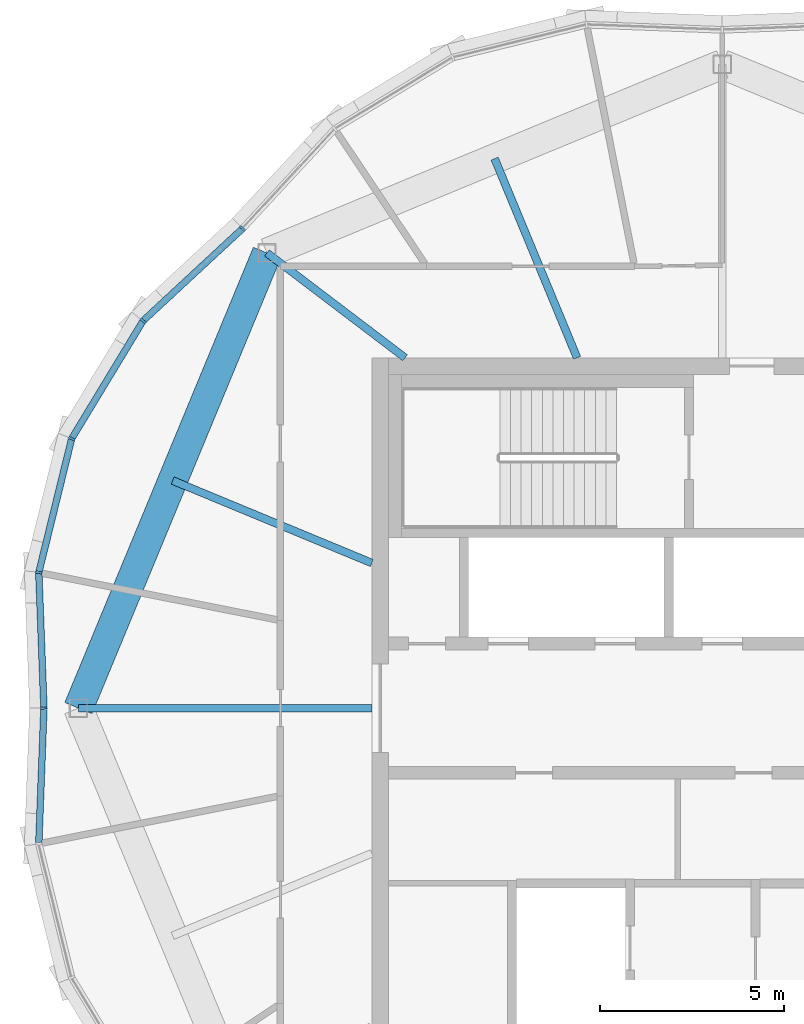
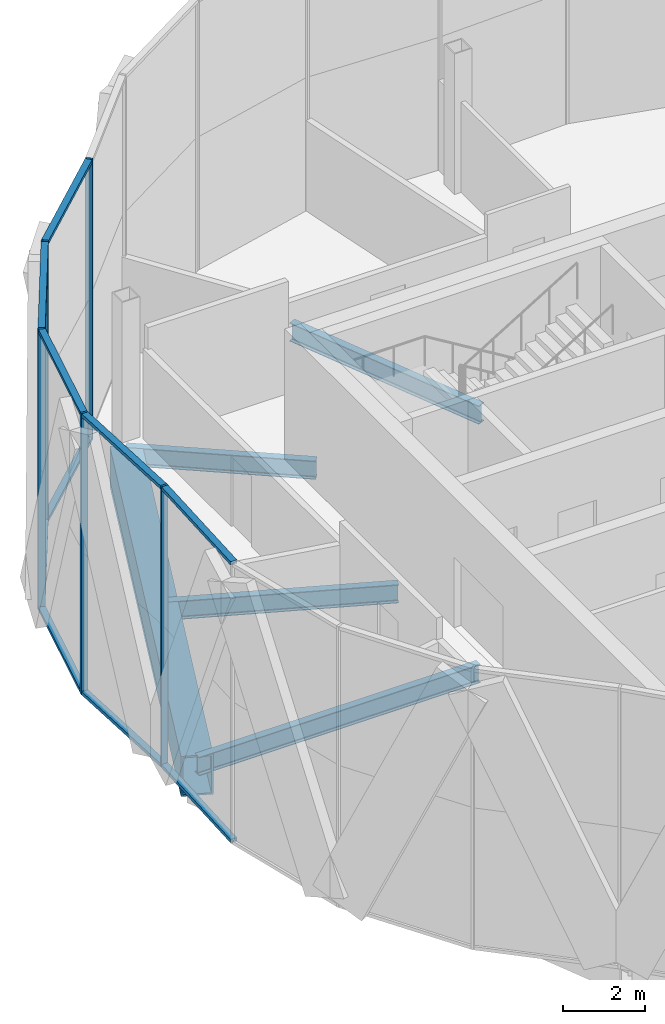
# One storey, part 5 of 22: 15 members, 5 beams, 3 elements without a shape of their own.
"""IFC4 building model written with IfcOpenShell, lengths in metres."""

from ifc_helpers import new_model, si_unit, direction, frame, origin, origin_2d, place, context, subcontext, project, spatial, rectangle, hollow_rectangle, i_section, extrude, material, material_profile, profile_set, type_object, element, aggregate, save


model = new_model("IFC4")

# Units and contexts
model_context = context("Model", 3, precision=1e-05, world=origin(), true_north=direction((0.0, 1.0)))
body_context = subcontext(model_context, "Body", "Model", "MODEL_VIEW")
ifc_project = project(units=[si_unit("LENGTHUNIT", "METRE"), si_unit("AREAUNIT", "SQUARE_METRE"), si_unit("VOLUMEUNIT", "CUBIC_METRE"), si_unit("PLANEANGLEUNIT", "RADIAN"), si_unit("MASSUNIT", "GRAM", prefix="KILO")], contexts=[model_context])

# Site, building, storey
site_placement = place(None, origin())
site = spatial("IfcSite", under=ifc_project, at=site_placement, CompositionType="ELEMENT")
building_placement = place(site_placement, origin())
building = spatial("IfcBuilding", under=site, at=building_placement, Name="Ogive Gate Towers", CompositionType="ELEMENT")
storey_placement = place(building_placement, frame((0.0, 0.0, 285.60009765625)))
storey = spatial("IfcBuildingStorey", under=building, at=storey_placement, Name="L67", CompositionType="ELEMENT", Elevation=285.60009765625)

# Beams
ifc_material_1 = material(Name="Steel SM460", Category="steel")
ifc_material_profile_1 = material_profile(ifc_material_1, hollow_rectangle(XDim=0.800048828125, YDim=1.199951171875, WallThickness=0.050048828125, at=origin_2d()), Name="BX 1200x800x50")
ifc_profile_set_1 = profile_set([ifc_material_profile_1], Name="Steel SM460")
beam_type_1 = type_object("IfcBeamType", Name="Edge girder BX 1200x800x50", PredefinedType="BEAM", material=ifc_profile_set_1)
beam_1_placement = place(storey_placement, frame((-48.342529296875, 12.342529296875, -0.900146484375), z_axis=(-0.382690191996, -0.923876732551, 0.0), x_axis=(0.923876732551, -0.382690191996, 0.0)))
element("IfcBeam", 1, at=beam_1_placement, inside=storey, type_object=beam_type_1, Name="T1/L67/SBM023", PredefinedType="BEAM", context=body_context, shape_type="SweptSolid", body=[
    extrude(hollow_rectangle(XDim=0.800048828125, YDim=1.199951171875, WallThickness=0.050048828125, at=origin_2d()), origin(), (0.0, 0.0, 1.0), 13.359619140625),
])
ifc_material_2 = material(Name="Steel SM355", Category="steel")
ifc_material_profile_2 = material_profile(ifc_material_2, i_section(OverallWidth=0.2099609375, OverallDepth=0.550048828125, WebThickness=0.010986328125, FlangeThickness=0.01708984375, FilletRadius=0.02392578125, at=origin_2d()), Name="IPE 550")
ifc_profile_set_2 = profile_set([ifc_material_profile_2], Name="Steel SM355")
beam_type_2 = type_object("IfcBeamType", Name="Radial floor beam IPE 550", PredefinedType="BEAM", material=ifc_profile_set_2)
beam_2_placement = place(storey_placement, frame((-39.93505859375, 9.5, -0.5751953125), z_axis=(-0.382701102209, 0.923872213225, 0.0), x_axis=(-0.923872213225, -0.382701102209, 0.0)))
element("IfcBeam", 2, at=beam_2_placement, inside=storey, type_object=beam_type_2, Name="T1/L67/SBM012", PredefinedType="BEAM", context=body_context, shape_type="SweptSolid", body=[
    extrude(i_section(OverallWidth=0.2099609375, OverallDepth=0.550048828125, WebThickness=0.010986328125, FlangeThickness=0.01708984375, FilletRadius=0.02392578125, at=origin_2d()), origin(), (0.0, 0.0, 1.0), 5.843505859375),
])
beam_3_placement = place(storey_placement, frame((-44.60009765625, 9.5, -0.5751953125), z_axis=(-0.796338347087, 0.604851417257, 0.0), x_axis=(-0.604851417257, -0.796338347087, 0.0)))
element("IfcBeam", 3, at=beam_3_placement, inside=storey, type_object=beam_type_2, Name="T1/L67/SBM013", PredefinedType="BEAM", context=body_context, shape_type="SweptSolid", body=[
    extrude(i_section(OverallWidth=0.2099609375, OverallDepth=0.550048828125, WebThickness=0.010986328125, FlangeThickness=0.01708984375, FilletRadius=0.02392578125, at=origin_2d()), origin(), (0.0, 0.0, 1.0), 4.699462890625),
])
beam_4_placement = place(storey_placement, frame((-45.5, 3.93505859375, -0.5751953125), z_axis=(-0.923872213225, 0.382701102209, 0.0), x_axis=(-0.382701102209, -0.923872213225, 0.0)))
element("IfcBeam", 4, at=beam_4_placement, inside=storey, type_object=beam_type_2, Name="T1/L67/SBM014", PredefinedType="BEAM", context=body_context, shape_type="SweptSolid", body=[
    extrude(i_section(OverallWidth=0.2099609375, OverallDepth=0.550048828125, WebThickness=0.010986328125, FlangeThickness=0.01708984375, FilletRadius=0.02392578125, at=origin_2d()), origin(), (0.0, 0.0, 1.0), 5.843505859375),
])
beam_5_placement = place(storey_placement, frame((-45.5, 0.0, -0.5751953125), z_axis=(-1.0, 0.0, 0.0), x_axis=(0.0, -1.0, 0.0)))
element("IfcBeam", 5, at=beam_5_placement, inside=storey, type_object=beam_type_2, Name="T1/L67/SBM015", PredefinedType="BEAM", context=body_context, shape_type="SweptSolid", body=[
    extrude(i_section(OverallWidth=0.2099609375, OverallDepth=0.550048828125, WebThickness=0.010986328125, FlangeThickness=0.01708984375, FilletRadius=0.02392578125, at=origin_2d()), origin(), (0.0, 0.0, 1.0), 7.955078125),
])

# Curtain wall, member
ifc_material_3 = material(Name="Pale metal aluminium", Category="aluminium")
curtain_wall_type = type_object("IfcCurtainWallType", Name="Tower unitised wall, high zone", PredefinedType="NOTDEFINED", material=ifc_material_3)
curtain_wall_1_placement = place(storey_placement, origin())
curtain_wall_1 = element("IfcCurtainWall", 6, at=curtain_wall_1_placement, inside=storey, type_object=curtain_wall_type, Name="CW2 T1 ECW03", PredefinedType="NOTDEFINED")
ifc_material_profile_3 = material_profile(ifc_material_3, rectangle(XDim=0.179931640625, YDim=0.06005859375, at=origin_2d()), Name="60 x 180 aluminium box")
ifc_profile_set_3 = profile_set([ifc_material_profile_3], Name="Pale metal aluminium")
member_type_1 = type_object("IfcMemberType", Name="Tower unitised wall, high zone mullion 60 x 180", PredefinedType="MULLION", material=ifc_profile_set_3)
member_1_placement = place(storey_placement, frame((-49.00341796875, 13.00390625, -0.300048828125), z_axis=(0.0, 0.0, 1.0), x_axis=(-0.733338412727, 0.679863789608, 0.0)))
member_1 = element("IfcMember", 7, at=member_1_placement, type_object=member_type_1, Name="CW2 mullion", PredefinedType="MULLION", context=body_context, shape_type="SweptSolid", body=[
    extrude(rectangle(XDim=0.179931640625, YDim=0.06005859375, at=origin_2d()), origin(), (0.0, 0.0, 1.0), 8.39990234375),
])
aggregate(curtain_wall_1, [member_1])

# Curtain wall, members
curtain_wall_2_placement = place(storey_placement, origin())
curtain_wall_2 = element("IfcCurtainWall", 8, at=curtain_wall_2_placement, inside=storey, type_object=curtain_wall_type, Name="CW2 T1 ECW04", PredefinedType="NOTDEFINED")
member_2_placement = place(storey_placement, frame((-51.7021484375, 10.502197265625, -0.300048828125), z_axis=(0.0, 0.0, 1.0), x_axis=(-0.775120954363, 0.631812872699, 0.0)))
member_2 = element("IfcMember", 9, at=member_2_placement, type_object=member_type_1, Name="CW2 mullion", PredefinedType="MULLION", context=body_context, shape_type="SweptSolid", body=[
    extrude(rectangle(XDim=0.179931640625, YDim=0.06005859375, at=origin_2d()), origin(), (0.0, 0.0, 1.0), 8.39990234375),
])
member_3_placement = place(storey_placement, frame((-53.637939453125, 7.305908203125, -0.300048828125), z_axis=(0.0, 0.0, 1.0), x_axis=(-0.923879532511, 0.382683432365, 0.0)))
member_3 = element("IfcMember", 10, at=member_3_placement, type_object=member_type_1, Name="CW2 mullion", PredefinedType="MULLION", context=body_context, shape_type="SweptSolid", body=[
    extrude(rectangle(XDim=0.179931640625, YDim=0.06005859375, at=origin_2d()), origin(), (0.0, 0.0, 1.0), 8.39990234375),
])
member_4_placement = place(storey_placement, frame((-54.529296875, 3.677001953125, -0.300048828125), z_axis=(0.0, 0.0, 1.0), x_axis=(-0.99485068103, 0.101351479779, 0.0)))
member_4 = element("IfcMember", 11, at=member_4_placement, type_object=member_type_1, Name="CW2 mullion", PredefinedType="MULLION", context=body_context, shape_type="SweptSolid", body=[
    extrude(rectangle(XDim=0.179931640625, YDim=0.06005859375, at=origin_2d()), origin(), (0.0, 0.0, 1.0), 8.39990234375),
])
member_5_placement = place(storey_placement, frame((-54.39013671875, 0.00048828125, -0.300048828125), z_axis=(0.0, 0.0, 1.0), x_axis=(-0.999285520255, -0.037794827812, 0.0)))
member_5 = element("IfcMember", 12, at=member_5_placement, type_object=member_type_1, Name="CW2 mullion", PredefinedType="MULLION", context=body_context, shape_type="SweptSolid", body=[
    extrude(rectangle(XDim=0.179931640625, YDim=0.06005859375, at=origin_2d()), origin(), (0.0, 0.0, 1.0), 8.39990234375),
])
ifc_material_profile_4 = material_profile(ifc_material_3, rectangle(XDim=0.179931640625, YDim=0.10009765625, at=origin_2d()), Name="100 x 180 aluminium box")
ifc_profile_set_4 = profile_set([ifc_material_profile_4], Name="Pale metal aluminium")
member_type_2 = type_object("IfcMemberType", Name="Tower unitised wall, high zone transom 100 x 180", PredefinedType="USERDEFINED", material=ifc_profile_set_4)
member_6_placement = place(storey_placement, frame((-49.02587890625, 12.983154296875, 8.0498046875), z_axis=(-0.733335999654, -0.679866392471, 0.0), x_axis=(0.679866392471, -0.733335999654, 0.0)))
member_6 = element("IfcMember", 13, at=member_6_placement, type_object=member_type_2, Name="CW2 transom", ObjectType="TRANSOM", PredefinedType="USERDEFINED", context=body_context, shape_type="SweptSolid", body=[
    extrude(rectangle(XDim=0.179931640625, YDim=0.10009765625, at=origin_2d()), origin(), (0.0, 0.0, 1.0), 3.620849609375),
])
member_7_placement = place(storey_placement, frame((-49.02587890625, 12.983154296875, -0.25), z_axis=(-0.733335999654, -0.679866392471, 0.0), x_axis=(0.679866392471, -0.733335999654, 0.0)))
member_7 = element("IfcMember", 14, at=member_7_placement, type_object=member_type_2, Name="CW2 transom", ObjectType="TRANSOM", PredefinedType="USERDEFINED", context=body_context, shape_type="SweptSolid", body=[
    extrude(rectangle(XDim=0.179931640625, YDim=0.10009765625, at=origin_2d()), origin(), (0.0, 0.0, 1.0), 3.620849609375),
])
member_8_placement = place(storey_placement, frame((-51.716796875, 10.477783203125, 8.0498046875), z_axis=(-0.518013498205, -0.855372442669, 0.0), x_axis=(0.855372442669, -0.518013498205, 0.0)))
member_8 = element("IfcMember", 15, at=member_8_placement, type_object=member_type_2, Name="CW2 transom", ObjectType="TRANSOM", PredefinedType="USERDEFINED", context=body_context, shape_type="SweptSolid", body=[
    extrude(rectangle(XDim=0.179931640625, YDim=0.10009765625, at=origin_2d()), origin(), (0.0, 0.0, 1.0), 3.679931640625),
])
member_9_placement = place(storey_placement, frame((-51.716796875, 10.477783203125, -0.25), z_axis=(-0.518013498205, -0.855372442669, 0.0), x_axis=(0.855372442669, -0.518013498205, 0.0)))
member_9 = element("IfcMember", 16, at=member_9_placement, type_object=member_type_2, Name="CW2 transom", ObjectType="TRANSOM", PredefinedType="USERDEFINED", context=body_context, shape_type="SweptSolid", body=[
    extrude(rectangle(XDim=0.179931640625, YDim=0.10009765625, at=origin_2d()), origin(), (0.0, 0.0, 1.0), 3.679931640625),
])
member_10_placement = place(storey_placement, frame((-53.64453125, 7.2783203125, 8.0498046875), z_axis=(-0.238506074242, -0.971141005493, 0.0), x_axis=(0.971141005493, -0.238506074242, 0.0)))
member_10 = element("IfcMember", 17, at=member_10_placement, type_object=member_type_2, Name="CW2 transom", ObjectType="TRANSOM", PredefinedType="USERDEFINED", context=body_context, shape_type="SweptSolid", body=[
    extrude(rectangle(XDim=0.179931640625, YDim=0.10009765625, at=origin_2d()), origin(), (0.0, 0.0, 1.0), 3.679931640625),
])
member_11_placement = place(storey_placement, frame((-53.64453125, 7.2783203125, -0.25), z_axis=(-0.238506074242, -0.971141005493, 0.0), x_axis=(0.971141005493, -0.238506074242, 0.0)))
member_11 = element("IfcMember", 18, at=member_11_placement, type_object=member_type_2, Name="CW2 transom", ObjectType="TRANSOM", PredefinedType="USERDEFINED", context=body_context, shape_type="SweptSolid", body=[
    extrude(rectangle(XDim=0.179931640625, YDim=0.10009765625, at=origin_2d()), origin(), (0.0, 0.0, 1.0), 3.679931640625),
])
member_12_placement = place(storey_placement, frame((-54.528076171875, 3.648193359375, 8.0498046875), z_axis=(0.03783225687, -0.999284103916, 0.0), x_axis=(0.999284103916, 0.03783225687, 0.0)))
member_12 = element("IfcMember", 19, at=member_12_placement, type_object=member_type_2, Name="CW2 transom", ObjectType="TRANSOM", PredefinedType="USERDEFINED", context=body_context, shape_type="SweptSolid", body=[
    extrude(rectangle(XDim=0.179931640625, YDim=0.10009765625, at=origin_2d()), origin(), (0.0, 0.0, 1.0), 3.620361328125),
])
member_13_placement = place(storey_placement, frame((-54.528076171875, 3.648193359375, -0.25), z_axis=(0.03783225687, -0.999284103916, 0.0), x_axis=(0.999284103916, 0.03783225687, 0.0)))
member_13 = element("IfcMember", 20, at=member_13_placement, type_object=member_type_2, Name="CW2 transom", ObjectType="TRANSOM", PredefinedType="USERDEFINED", context=body_context, shape_type="SweptSolid", body=[
    extrude(rectangle(XDim=0.179931640625, YDim=0.10009765625, at=origin_2d()), origin(), (0.0, 0.0, 1.0), 3.620361328125),
])
aggregate(curtain_wall_2, [member_2, member_6, member_7, member_3, member_8, member_9, member_4, member_10, member_11, member_5, member_12, member_13])

curtain_wall_3_placement = place(storey_placement, origin())
curtain_wall_3 = element("IfcCurtainWall", 21, at=curtain_wall_3_placement, inside=storey, type_object=curtain_wall_type, Name="CW2 T1 ECW05", PredefinedType="NOTDEFINED")
member_14_placement = place(storey_placement, frame((-54.39111328125, -0.030517578125, 8.0498046875), z_axis=(-0.03783225687, -0.999284103916, 0.0), x_axis=(0.999284103916, -0.03783225687, 0.0)))
member_14 = element("IfcMember", 22, at=member_14_placement, type_object=member_type_2, Name="CW2 transom", ObjectType="TRANSOM", PredefinedType="USERDEFINED", context=body_context, shape_type="SweptSolid", body=[
    extrude(rectangle(XDim=0.179931640625, YDim=0.10009765625, at=origin_2d()), origin(), (0.0, 0.0, 1.0), 3.620361328125),
])
member_15_placement = place(storey_placement, frame((-54.39111328125, -0.030517578125, -0.25), z_axis=(-0.03783225687, -0.999284103916, 0.0), x_axis=(0.999284103916, -0.03783225687, 0.0)))
member_15 = element("IfcMember", 23, at=member_15_placement, type_object=member_type_2, Name="CW2 transom", ObjectType="TRANSOM", PredefinedType="USERDEFINED", context=body_context, shape_type="SweptSolid", body=[
    extrude(rectangle(XDim=0.179931640625, YDim=0.10009765625, at=origin_2d()), origin(), (0.0, 0.0, 1.0), 3.620361328125),
])
aggregate(curtain_wall_3, [member_14, member_15])

save(model, "model.ifc")
